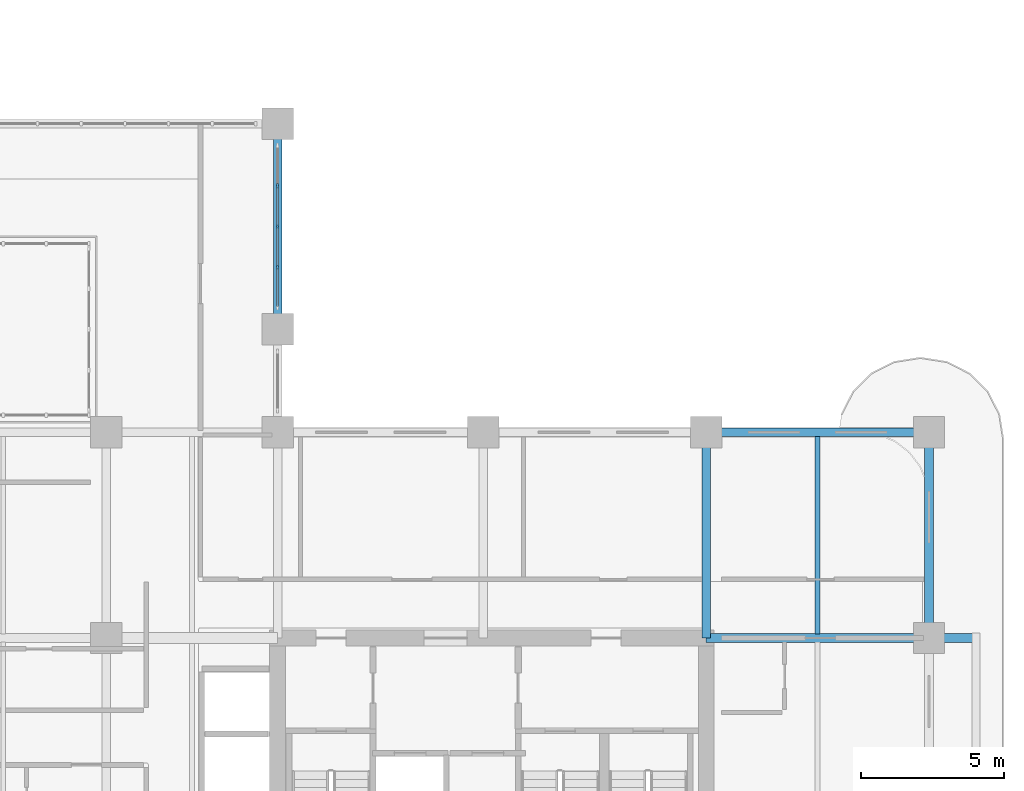
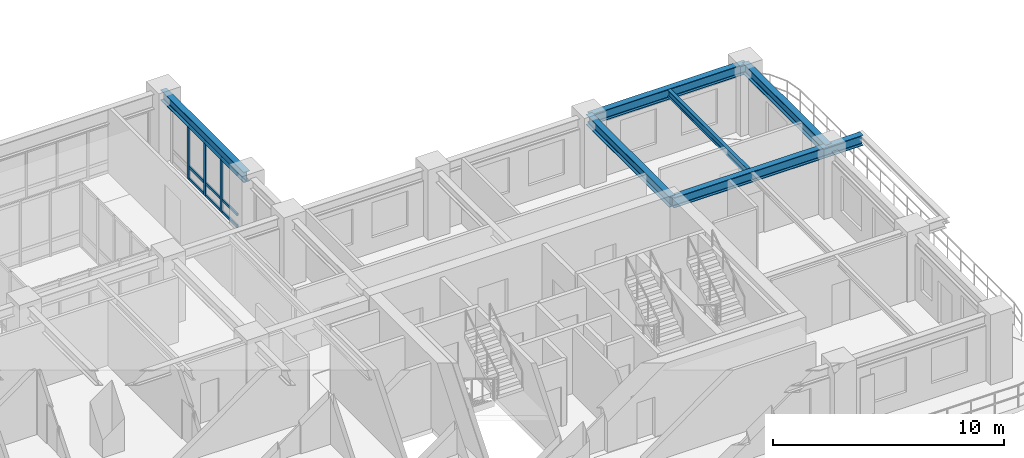
# One storey, part 5 of 22: 12 members, 6 beams, 1 element without a shape of its own.
"""IFC4 building model written with IfcOpenShell, lengths in metres."""

from ifc_helpers import new_model, si_unit, derived_unit, direction, frame, origin, origin_2d, place, context, subcontext, project, spatial, rectangle, i_section, extrude, source, transform, mapped, material, layer, layer_set, material_profile, profile_set, type_object, type_shapes, element, aggregate, save


model = new_model("IFC4")

# Units and contexts
model_context = context("Model", 3, precision=1e-05, world=origin(), true_north=direction((0.0, 1.0)))
body_context = subcontext(model_context, "Body", "Model", "MODEL_VIEW")
ifc_project = project(units=[si_unit("LENGTHUNIT", "METRE"), si_unit("AREAUNIT", "SQUARE_METRE"), si_unit("VOLUMEUNIT", "CUBIC_METRE"), si_unit("PLANEANGLEUNIT", "RADIAN"), si_unit("MASSUNIT", "GRAM", prefix="KILO"), si_unit("THERMODYNAMICTEMPERATUREUNIT", "KELVIN"), si_unit("POWERUNIT", "WATT"), derived_unit("THERMALTRANSMITTANCEUNIT", [(si_unit("POWERUNIT", "WATT"), 1), (si_unit("AREAUNIT", "SQUARE_METRE"), -1), (si_unit("THERMODYNAMICTEMPERATUREUNIT", "KELVIN"), -1)])], contexts=[model_context])

# Site, building, storey
site_placement = place(None, origin())
site = spatial("IfcSite", under=ifc_project, at=site_placement, CompositionType="ELEMENT")
building_placement = place(site_placement, origin())
building = spatial("IfcBuilding", under=site, at=building_placement, Name="Zahravan Archway Hotel and Residences", CompositionType="ELEMENT")
storey_placement = place(building_placement, frame((0.0, 0.0, 84.199951171875)))
storey = spatial("IfcBuildingStorey", under=building, at=storey_placement, Name="L20", CompositionType="ELEMENT", Elevation=84.199951171875)

# Beams
ifc_material_1 = material(Name="Structural Steel S355JR", Category="steel")
ifc_material_profile_1 = material_profile(ifc_material_1, i_section(OverallWidth=0.300048828125, OverallDepth=0.550048828125, WebThickness=0.014892578125, FlangeThickness=0.029052734375, FilletRadius=0.027099609375, at=origin_2d()), Name="HEB 550", Category="steel")
ifc_profile_set_1 = profile_set([ifc_material_profile_1], Name="Structural Steel S355JR")
beam_type_1 = type_object("IfcBeamType", Name="BM-PRI-HEB550", PredefinedType="BEAM", material=ifc_profile_set_1)
shared_shape_1 = source(origin(), body_context, "Body", "SweptSolid", [
    extrude(i_section(OverallWidth=0.300048828125, OverallDepth=0.550048828125, WebThickness=0.014892578125, FlangeThickness=0.029052734375, FilletRadius=0.027099609375, at=origin_2d()), origin(), (0.0, 0.0, 1.0), 7.2001953125),
])
type_shapes(beam_type_1, [shared_shape_1])
for number, where, z_axis, x_axis, name in (
    (1, (49.800048828125, 14.39990234375, 3.175048828125), (0.0, 1.0, 0.0), (-1.0, 0.0, 0.0), "L20 Primary Girder NS-49"),
    (2, (57.60009765625, 14.39990234375, 3.175048828125), (0.0, 1.0, 0.0), (-1.0, 0.0, 0.0), "L20 Primary Girder NS-52"),
):
    element("IfcBeam", number, at=place(storey_placement, frame(where, z_axis=z_axis, x_axis=x_axis)), inside=storey, type_object=beam_type_1, Name=name, PredefinedType="BEAM", context=body_context, shape_type="MappedRepresentation", body=[
        mapped(shared_shape_1, transform((0.0, 0.0, 0.0), scale=1.0)),
    ])
shared_shape_2 = source(origin(), body_context, "Body", "SweptSolid", [
    extrude(i_section(OverallWidth=0.300048828125, OverallDepth=0.550048828125, WebThickness=0.014892578125, FlangeThickness=0.029052734375, FilletRadius=0.027099609375, at=origin_2d()), origin(), (0.0, 0.0, 1.0), 7.199951171875),
])
beam_1_placement = place(storey_placement, frame((34.800048828125, 25.199951171875, 3.175048828125), z_axis=(0.0, 1.0, 0.0), x_axis=(-1.0, 0.0, 0.0)))
element("IfcBeam", 3, at=beam_1_placement, inside=storey, type_object=beam_type_1, Name="L20 Primary Girder NS-47", PredefinedType="BEAM", context=body_context, shape_type="MappedRepresentation", body=[
    mapped(shared_shape_2, transform((0.0, 0.0, 0.0), scale=1.0)),
])
shared_shape_3 = source(origin(), body_context, "Body", "SweptSolid", [
    extrude(i_section(OverallWidth=0.300048828125, OverallDepth=0.550048828125, WebThickness=0.014892578125, FlangeThickness=0.029052734375, FilletRadius=0.027099609375, at=origin_2d()), origin(), (0.0, 0.0, 1.0), 7.800048828125),
])
beam_2_placement = place(storey_placement, frame((49.800048828125, 21.60009765625, 3.175048828125), z_axis=(1.0, 0.0, 0.0), x_axis=(0.0, 1.0, 0.0)))
element("IfcBeam", 4, at=beam_2_placement, inside=storey, type_object=beam_type_1, Name="L20 Primary Girder EW-19", PredefinedType="BEAM", context=body_context, shape_type="MappedRepresentation", body=[
    mapped(shared_shape_3, transform((0.0, 0.0, 0.0), scale=1.0)),
])
shared_shape_4 = source(origin(), body_context, "Body", "SweptSolid", [
    extrude(i_section(OverallWidth=0.300048828125, OverallDepth=0.550048828125, WebThickness=0.014892578125, FlangeThickness=0.029052734375, FilletRadius=0.027099609375, at=origin_2d()), origin(), (0.0, 0.0, 1.0), 9.449951171875),
])
beam_3_placement = place(storey_placement, frame((49.800048828125, 14.39990234375, 3.175048828125), z_axis=(1.0, 0.0, 0.0), x_axis=(0.0, 1.0, 0.0)))
element("IfcBeam", 5, at=beam_3_placement, inside=storey, type_object=beam_type_1, Name="L20 Primary Girder EW-13", PredefinedType="BEAM", context=body_context, shape_type="MappedRepresentation", body=[
    mapped(shared_shape_4, transform((0.0, 0.0, 0.0), scale=1.0)),
])
ifc_material_profile_2 = material_profile(ifc_material_1, i_section(OverallWidth=0.169921875, OverallDepth=0.360107421875, WebThickness=0.008056640625, FlangeThickness=0.0126953125, FilletRadius=0.01806640625, at=origin_2d()), Name="IPE 360", Category="steel")
ifc_profile_set_2 = profile_set([ifc_material_profile_2], Name="Structural Steel S355JR")
beam_type_2 = type_object("IfcBeamType", Name="BM-JST-IPE360", PredefinedType="JOIST", material=ifc_profile_set_2)
shared_shape_5 = source(origin(), body_context, "Body", "SweptSolid", [
    extrude(i_section(OverallWidth=0.169921875, OverallDepth=0.360107421875, WebThickness=0.008056640625, FlangeThickness=0.0126953125, FilletRadius=0.01806640625, at=origin_2d()), origin(), (0.0, 0.0, 1.0), 6.90380859375),
])
beam_4_placement = place(storey_placement, frame((53.699951171875, 14.548095703125, 3.27001953125), z_axis=(0.0, 1.0, 0.0), x_axis=(-1.0, 0.0, 0.0)))
element("IfcBeam", 6, at=beam_4_placement, inside=storey, type_object=beam_type_2, Name="L20 Composite Floor Joist 12", PredefinedType="JOIST", context=body_context, shape_type="MappedRepresentation", body=[
    mapped(shared_shape_5, transform((0.0, 0.0, 0.0), scale=1.0)),
])

# Curtain wall, members
ifc_material_2 = material(Name="Bronze-Anodized Unitised Aluminium & Low-E Glass", Category="aluminium")
ifc_layer = layer(ifc_material_2, 0.179931640625, Name="Bronze-Anodized Unitised Aluminium & Low-E Glass", Category="aluminium")
ifc_layer_set = layer_set([ifc_layer], Name="Bronze-Anodized Unitised Aluminium & Low-E Glass")
curtain_wall_type = type_object("IfcCurtainWallType", Name="CW-TWR-FEAT", PredefinedType="NOTDEFINED", material=ifc_layer_set)
curtain_wall_placement = place(storey_placement, origin())
curtain_wall = element("IfcCurtainWall", 7, at=curtain_wall_placement, inside=storey, type_object=curtain_wall_type, Name="L20 Curtain Wall CW-L20-HNG-E-2", PredefinedType="NOTDEFINED")
ifc_material_3 = material(Name="Bronze-Anodized Extruded Aluminium", Category="aluminium")
ifc_material_profile_3 = material_profile(ifc_material_3, rectangle(XDim=0.080078125, YDim=0.139892578125, at=origin_2d()), Name="TRN 80x140", Category="aluminium")
ifc_profile_set_3 = profile_set([ifc_material_profile_3], Name="Bronze-Anodized Extruded Aluminium")
member_type_1 = type_object("IfcMemberType", Name="CWM-TRN-140", PredefinedType="USERDEFINED", material=ifc_profile_set_3)
shared_shape_6 = source(origin(), body_context, "Body", "SweptSolid", [
    extrude(rectangle(XDim=0.080078125, YDim=0.139892578125, at=origin_2d()), origin(), (0.0, 0.0, 1.0), 1.33984375),
])
member_1_placement = place(storey_placement, frame((34.800048828125, 28.840087890625, 0.070068359375), z_axis=(0.0, 1.0, 0.0), x_axis=(-1.0, 0.0, 0.0)))
member_1 = element("IfcMember", 8, at=member_1_placement, type_object=member_type_1, Name="CW-L20-HNG-E-2 Transom 2-1", ObjectType="TRANSOM", PredefinedType="USERDEFINED", context=body_context, shape_type="MappedRepresentation", body=[
    mapped(shared_shape_6, transform((0.0, 0.0, 0.0), scale=1.0)),
])
member_2_placement = place(storey_placement, frame((34.800048828125, 28.840087890625, 0.6923828125), z_axis=(0.0, 1.0, 0.0), x_axis=(-1.0, 0.0, 0.0)))
member_2 = element("IfcMember", 9, at=member_2_placement, type_object=member_type_1, Name="CW-L20-HNG-E-2 Transom 2-2", ObjectType="TRANSOM", PredefinedType="USERDEFINED", context=body_context, shape_type="MappedRepresentation", body=[
    mapped(shared_shape_6, transform((0.0, 0.0, 0.0), scale=1.0)),
])
member_3_placement = place(storey_placement, frame((34.800048828125, 28.840087890625, 2.81494140625), z_axis=(0.0, 1.0, 0.0), x_axis=(-1.0, 0.0, 0.0)))
member_3 = element("IfcMember", 10, at=member_3_placement, type_object=member_type_1, Name="CW-L20-HNG-E-2 Transom 2-3", ObjectType="TRANSOM", PredefinedType="USERDEFINED", context=body_context, shape_type="MappedRepresentation", body=[
    mapped(shared_shape_6, transform((0.0, 0.0, 0.0), scale=1.0)),
])
shared_shape_7 = source(origin(), body_context, "Body", "SweptSolid", [
    extrude(rectangle(XDim=0.080078125, YDim=0.139892578125, at=origin_2d()), origin(), (0.0, 0.0, 1.0), 1.340087890625),
])
member_4_placement = place(storey_placement, frame((34.800048828125, 26.0, 0.070068359375), z_axis=(0.0, 1.0, 0.0), x_axis=(-1.0, 0.0, 0.0)))
member_4 = element("IfcMember", 11, at=member_4_placement, type_object=member_type_1, Name="CW-L20-HNG-E-2 Transom 0-1", ObjectType="TRANSOM", PredefinedType="USERDEFINED", context=body_context, shape_type="MappedRepresentation", body=[
    mapped(shared_shape_7, transform((0.0, 0.0, 0.0), scale=1.0)),
])
member_5_placement = place(storey_placement, frame((34.800048828125, 26.0, 0.6923828125), z_axis=(0.0, 1.0, 0.0), x_axis=(-1.0, 0.0, 0.0)))
member_5 = element("IfcMember", 12, at=member_5_placement, type_object=member_type_1, Name="CW-L20-HNG-E-2 Transom 0-2", ObjectType="TRANSOM", PredefinedType="USERDEFINED", context=body_context, shape_type="MappedRepresentation", body=[
    mapped(shared_shape_7, transform((0.0, 0.0, 0.0), scale=1.0)),
])
member_6_placement = place(storey_placement, frame((34.800048828125, 26.0, 2.81494140625), z_axis=(0.0, 1.0, 0.0), x_axis=(-1.0, 0.0, 0.0)))
member_6 = element("IfcMember", 13, at=member_6_placement, type_object=member_type_1, Name="CW-L20-HNG-E-2 Transom 0-3", ObjectType="TRANSOM", PredefinedType="USERDEFINED", context=body_context, shape_type="MappedRepresentation", body=[
    mapped(shared_shape_7, transform((0.0, 0.0, 0.0), scale=1.0)),
])
member_7_placement = place(storey_placement, frame((34.800048828125, 27.419921875, 0.070068359375), z_axis=(0.0, 1.0, 0.0), x_axis=(-1.0, 0.0, 0.0)))
member_7 = element("IfcMember", 14, at=member_7_placement, type_object=member_type_1, Name="CW-L20-HNG-E-2 Transom 1-1", ObjectType="TRANSOM", PredefinedType="USERDEFINED", context=body_context, shape_type="MappedRepresentation", body=[
    mapped(shared_shape_7, transform((0.0, 0.0, 0.0), scale=1.0)),
])
member_8_placement = place(storey_placement, frame((34.800048828125, 27.419921875, 0.6923828125), z_axis=(0.0, 1.0, 0.0), x_axis=(-1.0, 0.0, 0.0)))
member_8 = element("IfcMember", 15, at=member_8_placement, type_object=member_type_1, Name="CW-L20-HNG-E-2 Transom 1-2", ObjectType="TRANSOM", PredefinedType="USERDEFINED", context=body_context, shape_type="MappedRepresentation", body=[
    mapped(shared_shape_7, transform((0.0, 0.0, 0.0), scale=1.0)),
])
member_9_placement = place(storey_placement, frame((34.800048828125, 27.419921875, 2.81494140625), z_axis=(0.0, 1.0, 0.0), x_axis=(-1.0, 0.0, 0.0)))
member_9 = element("IfcMember", 16, at=member_9_placement, type_object=member_type_1, Name="CW-L20-HNG-E-2 Transom 1-3", ObjectType="TRANSOM", PredefinedType="USERDEFINED", context=body_context, shape_type="MappedRepresentation", body=[
    mapped(shared_shape_7, transform((0.0, 0.0, 0.0), scale=1.0)),
])
ifc_material_profile_4 = material_profile(ifc_material_3, rectangle(XDim=0.080078125, YDim=0.159912109375, at=origin_2d()), Name="MUL 80x160", Category="aluminium")
ifc_profile_set_4 = profile_set([ifc_material_profile_4], Name="Bronze-Anodized Extruded Aluminium")
member_type_2 = type_object("IfcMemberType", Name="CWM-MUL-160", PredefinedType="MULLION", material=ifc_profile_set_4)
shared_shape_8 = source(origin(), body_context, "Body", "SweptSolid", [
    extrude(rectangle(XDim=0.080078125, YDim=0.159912109375, at=origin_2d()), origin(), (0.0, 0.0, 1.0), 2.885009765625),
])
member_10_placement = place(storey_placement, frame((34.800048828125, 27.3798828125, 0.0), z_axis=(0.0, 0.0, 1.0), x_axis=(1.0, 0.0, 0.0)))
member_10 = element("IfcMember", 17, at=member_10_placement, type_object=member_type_2, Name="CW-L20-HNG-E-2 Mullion 1", PredefinedType="MULLION", context=body_context, shape_type="MappedRepresentation", body=[
    mapped(shared_shape_8, transform((0.0, 0.0, 0.0), scale=1.0)),
])
member_11_placement = place(storey_placement, frame((34.800048828125, 28.800048828125, 0.0), z_axis=(0.0, 0.0, 1.0), x_axis=(1.0, 0.0, 0.0)))
member_11 = element("IfcMember", 18, at=member_11_placement, type_object=member_type_2, Name="CW-L20-HNG-E-2 Mullion 2", PredefinedType="MULLION", context=body_context, shape_type="MappedRepresentation", body=[
    mapped(shared_shape_8, transform((0.0, 0.0, 0.0), scale=1.0)),
])
member_12_placement = place(storey_placement, frame((34.800048828125, 30.219970703125, 0.0), z_axis=(0.0, 0.0, 1.0), x_axis=(1.0, 0.0, 0.0)))
member_12 = element("IfcMember", 19, at=member_12_placement, type_object=member_type_2, Name="CW-L20-HNG-E-2 Mullion 3", PredefinedType="MULLION", context=body_context, shape_type="MappedRepresentation", body=[
    mapped(shared_shape_8, transform((0.0, 0.0, 0.0), scale=1.0)),
])
aggregate(curtain_wall, [member_10, member_11, member_12, member_4, member_5, member_6, member_7, member_8, member_9, member_1, member_2, member_3])

save(model, "model.ifc")
